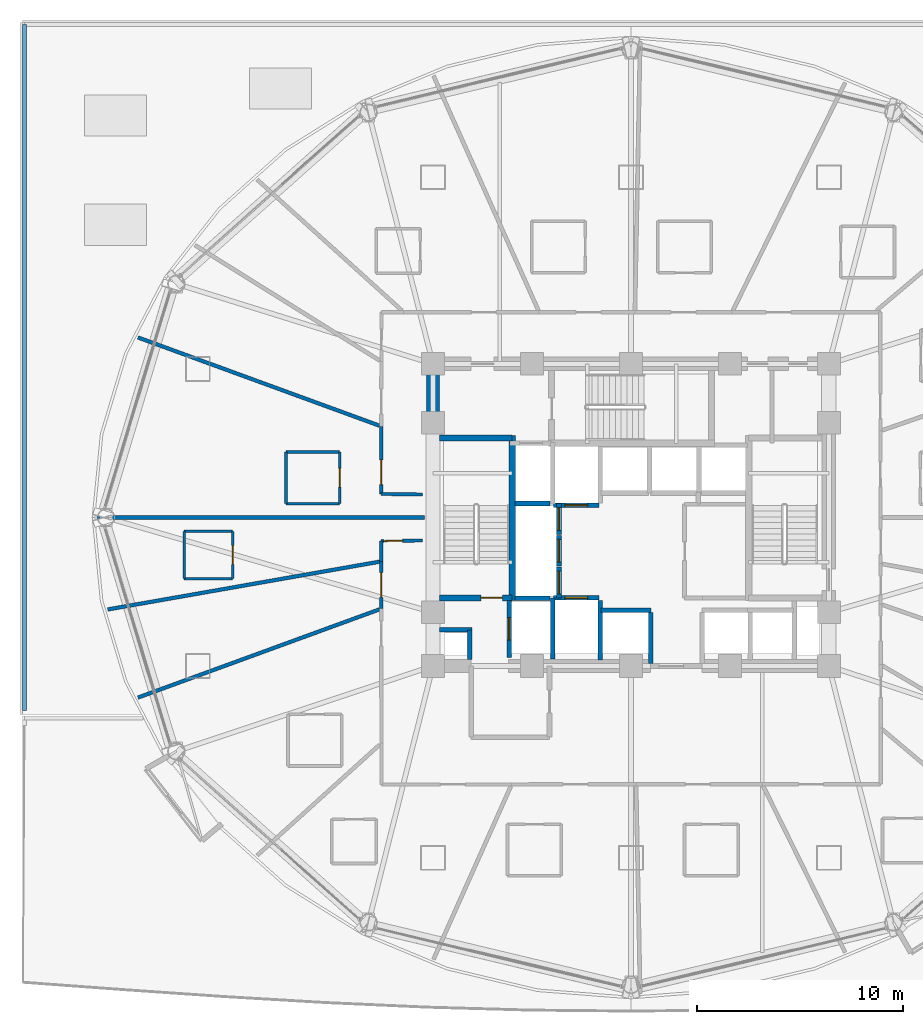
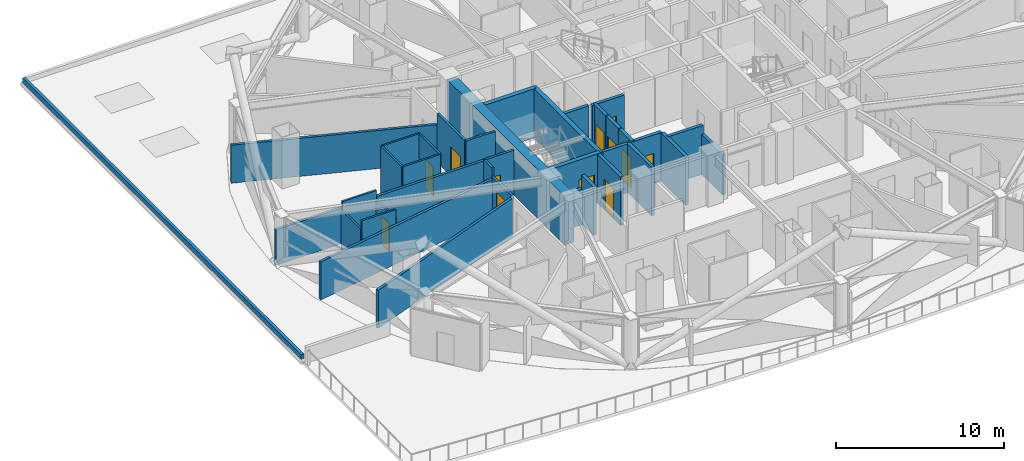
# One storey, part 20 of 27: 36 walls, 12 doors, 12 openings.
"""IFC4 building model written with IfcOpenShell, lengths in metres."""

import ifcopenshell
import ifcopenshell.guid

model = None  # the IFC model being written
_history = None  # IfcOwnerHistory: only IFC2X3 demands one
_inside = {}  # id of a spatial element -> (the spatial element, [elements in it])
_under = {}  # id of a project, library or spatial element -> (it, [spatial elements below it])
_declared = {}  # id of a project -> (the project, [libraries it declares])
_typed = {}  # id of a type object -> (the type object, [elements of that type])
_made_of = {}  # id of a material, layer set ... -> (it, [elements and type objects made of it])


def new_model(schema):
    """Start an empty IFC model of exactly this schema.

    Asked for "IFC4X3", IfcOpenShell would pick the latest addendum, in which some entities
    have other attributes; the version numbers below select the first issue.
    IFC2X3 requires an IfcOwnerHistory on every rooted entity: one is made here for all.
    """
    global model, _history
    if schema == "IFC4X3":
        model = ifcopenshell.file(schema_version=(4, 3, 0, 0))
    else:
        model = ifcopenshell.file(schema=schema)
    _inside.clear()
    _under.clear()
    _declared.clear()
    _typed.clear()
    _made_of.clear()
    _history = None
    if model.schema == "IFC2X3":
        org = make("IfcOrganization", Name="unknown")
        user = make(
            "IfcPersonAndOrganization",
            ThePerson=make("IfcPerson", FamilyName="unknown"),
            TheOrganization=org,
        )
        app = make(
            "IfcApplication",
            ApplicationDeveloper=org,
            Version="unknown",
            ApplicationFullName="unknown",
            ApplicationIdentifier="unknown",
        )
        _history = make(
            "IfcOwnerHistory",
            OwningUser=user,
            OwningApplication=app,
            ChangeAction="ADDED",
            CreationDate=0,
        )
    return model


def make(cls, **values):
    """One entity of the class cls with the attributes given. An attribute that is None is left unset."""
    return model.create_entity(
        cls, **{name: value for name, value in values.items() if value is not None}
    )


def rooted(cls, **values):
    """An entity with a GlobalId (a new one), such as an element, a storey or a relation."""
    return make(cls, GlobalId=ifcopenshell.guid.new(), OwnerHistory=_history, **values)


def si_unit(unit_type, name, prefix=None):
    """IfcSIUnit, for example si_unit("LENGTHUNIT", "METRE", prefix="MILLI")."""
    return make("IfcSIUnit", UnitType=unit_type, Prefix=prefix, Name=name)


def assignment(units):
    """IfcUnitAssignment: the units of a project."""
    return None if units is None else make("IfcUnitAssignment", Units=units)


def point(xyz):
    """IfcCartesianPoint."""
    return None if xyz is None else make("IfcCartesianPoint", Coordinates=xyz)


def direction(xyz):
    """IfcDirection."""
    return None if xyz is None else make("IfcDirection", DirectionRatios=xyz)


def frame(location, z_axis=None, x_axis=None):
    """IfcAxis2Placement3D, a coordinate frame: its origin and axes. An axis left out is left unset."""
    return make(
        "IfcAxis2Placement3D",
        Location=point(location),
        Axis=direction(z_axis),
        RefDirection=direction(x_axis),
    )


def frame_2d(location, x_axis=None):
    """IfcAxis2Placement2D, a coordinate frame in the plane: its origin and x axis."""
    return make(
        "IfcAxis2Placement2D", Location=point(location), RefDirection=direction(x_axis)
    )


def origin():
    """The frame at (0, 0, 0) with its axes left unset."""
    return frame((0.0, 0.0, 0.0))


def place(relative_to, where):
    """IfcLocalPlacement: puts the frame where relative to a parent placement (None: the world)."""
    return make(
        "IfcLocalPlacement", PlacementRelTo=relative_to, RelativePlacement=where
    )


def context(
    kind, dimensions, precision=None, world=None, true_north=None, identifier=None
):
    """IfcGeometricRepresentationContext, for example the 3D "Model" context."""
    return make(
        "IfcGeometricRepresentationContext",
        ContextIdentifier=identifier,
        ContextType=kind,
        CoordinateSpaceDimension=dimensions,
        Precision=precision,
        WorldCoordinateSystem=world,
        TrueNorth=true_north,
    )


def subcontext(parent, identifier, kind, view, scale=None):
    """IfcGeometricRepresentationSubContext, for example "Body" below "Model"."""
    return make(
        "IfcGeometricRepresentationSubContext",
        ContextIdentifier=identifier,
        ContextType=kind,
        ParentContext=parent,
        TargetScale=scale,
        TargetView=view,
    )


def project(units=None, contexts=None):
    """IfcProject with its units and contexts."""
    return rooted(
        "IfcProject",
        Name="project",
        RepresentationContexts=contexts,
        UnitsInContext=assignment(units),
    )


def spatial(cls, under=None, at=None, **own):
    """A site, building, storey or space (cls), placed at a placement, below another one or the project."""
    s = rooted(cls, ObjectPlacement=at, **own)
    if under is not None:
        _under.setdefault(under.id(), (under, []))[1].append(s)
    return s


def profile(cls, at=None, kind="AREA", **sizes):
    """A parametric profile (cls). Its sizes go by their IFC names, for example OverallWidth=200.0."""
    return make(cls, ProfileType=kind, Position=at, **sizes)


def rectangle(**sizes):
    """IfcRectangleProfileDef."""
    return profile("IfcRectangleProfileDef", **sizes)


def extrude(swept, where, along, depth):
    """IfcExtrudedAreaSolid: the profile swept, set in the frame where, extruded along a direction by depth."""
    return make(
        "IfcExtrudedAreaSolid",
        SweptArea=swept,
        Position=where,
        ExtrudedDirection=direction(along),
        Depth=depth,
    )


def shape(context_of_items, identifier, shape_type, items):
    """IfcShapeRepresentation: the items that make up one representation, for example the "Body"."""
    return make(
        "IfcShapeRepresentation",
        ContextOfItems=context_of_items,
        RepresentationIdentifier=identifier,
        RepresentationType=shape_type,
        Items=items,
    )


def material(Name=None, Category=None):
    """IfcMaterial."""
    return make("IfcMaterial", Name=Name, Category=Category)


def layer(
    of_material, thickness, ventilated=None, Name=None, Category=None, Priority=None
):
    """IfcMaterialLayer: one layer of a wall or slab, of a material (None: an air gap)."""
    return make(
        "IfcMaterialLayer",
        Material=of_material,
        LayerThickness=thickness,
        IsVentilated=ventilated,
        Name=Name,
        Category=Category,
        Priority=Priority,
    )


def layer_set(layers, Name=None):
    """IfcMaterialLayerSet."""
    return make("IfcMaterialLayerSet", MaterialLayers=layers, LayerSetName=Name)


def made_of(thing, what):
    """Note that an element or type object is made of a material, layer set ...; save() writes the relation."""
    if what is not None:
        _made_of.setdefault(what.id(), (what, []))[1].append(thing)
    return thing


def type_object(cls, material=None, **own):
    """A type object (cls), such as IfcWallType, which elements share."""
    return made_of(rooted(cls, **own), material)


def element(
    cls,
    number,
    at=None,
    inside=None,
    cuts=None,
    type_object=None,
    material=None,
    context=None,
    identifier="Body",
    shape_type=None,
    held_by="IfcProductDefinitionShape",
    body=None,
    shapes=None,
    **own,
):
    """One element of the class cls, such as IfcWall. Its Tag is "e" and its number.

    at: its placement. inside: the storey or other place that contains it. cuts: it is an
    opening in that element (IfcRelVoidsElement). A single representation is given by context,
    identifier, shape_type and body (its items); several are given by shapes. held_by: the class
    of the entity that holds the representations. save() writes the other relations.
    """
    e = rooted(cls, Tag="e%d" % number, ObjectPlacement=at, **own)
    if body is not None:
        shapes = [shape(context, identifier, shape_type, body)]
    if shapes is not None:
        e.Representation = make(held_by, Representations=shapes)
    if inside is not None:
        _inside.setdefault(inside.id(), (inside, []))[1].append(e)
    if cuts is not None:
        rooted(
            "IfcRelVoidsElement", RelatingBuildingElement=cuts, RelatedOpeningElement=e
        )
    if type_object is not None:
        _typed.setdefault(type_object.id(), (type_object, []))[1].append(e)
    return made_of(e, material)


def fill(opening, filler):
    """IfcRelFillsElement: the door or window that sits in an opening."""
    return rooted(
        "IfcRelFillsElement",
        RelatingOpeningElement=opening,
        RelatedBuildingElement=filler,
    )


def aggregate(whole, parts):
    """IfcRelAggregates: a whole, such as a stair, and the parts it consists of."""
    return rooted("IfcRelAggregates", RelatingObject=whole, RelatedObjects=parts)


def save(model, path):
    """Write the relations noted so far, then the file.

    IfcRelAggregates (storeys below a building ...), IfcRelContainedInSpatialStructure (elements
    in a storey), IfcRelDefinesByType, IfcRelAssociatesMaterial and IfcRelDeclares: one each for
    every whole, place, type object, material and project.
    """
    for whole, parts in _under.values():
        aggregate(whole, parts)
    for where, things in _inside.values():
        rooted(
            "IfcRelContainedInSpatialStructure",
            RelatedElements=things,
            RelatingStructure=where,
        )
    for kind, things in _typed.values():
        rooted("IfcRelDefinesByType", RelatedObjects=things, RelatingType=kind)
    for what, things in _made_of.values():
        rooted("IfcRelAssociatesMaterial", RelatedObjects=things, RelatingMaterial=what)
    for by, libraries in _declared.values():
        rooted("IfcRelDeclares", RelatingContext=by, RelatedDefinitions=libraries)
    model.write(path)


model = new_model("IFC4")

# Units and contexts
model_context = context("Model", 3, precision=1e-05, world=origin(), true_north=direction((0.0, 1.0)))
body_context = subcontext(model_context, "Body", "Model", "MODEL_VIEW")
ifc_project = project(units=[si_unit("LENGTHUNIT", "METRE"), si_unit("AREAUNIT", "SQUARE_METRE"), si_unit("VOLUMEUNIT", "CUBIC_METRE"), si_unit("PLANEANGLEUNIT", "RADIAN"), si_unit("MASSUNIT", "GRAM", prefix="KILO")], contexts=[model_context])

# Site, building, storey
site_placement = place(None, origin())
site = spatial("IfcSite", under=ifc_project, at=site_placement, CompositionType="ELEMENT")
building_placement = place(site_placement, origin())
building = spatial("IfcBuilding", under=site, at=building_placement, Name="Vantalir Tower", CompositionType="ELEMENT")
storey_placement = place(building_placement, frame((0.0, 0.0, 27.0)))
storey = spatial("IfcBuildingStorey", under=building, at=storey_placement, Name="L05", CompositionType="ELEMENT", Elevation=27.0)

# Walls
ifc_material_1 = material(Name="Moisture-resistant en-suite partition", Category="gypsum")
ifc_layer_1 = layer(ifc_material_1, 0.125)
ifc_layer_set_1 = layer_set([ifc_layer_1], Name="Moisture-resistant en-suite partition")
wall_type_1 = type_object("IfcWallType", Name="WL-BATH-125", PredefinedType="PARTITIONING", material=ifc_layer_set_1)
for number, where, z_axis, x_axis, name in (
    (1, (14.77490234375, 25.677978515625, 0.0), (0.0, 0.0, 1.0), (1.0, 0.0, 0.0), "L05 En-suite 09 South Wall"),
    (2, (14.77490234375, 28.177978515625, 0.0), (0.0, 0.0, 1.0), (1.0, 0.0, 0.0), "L05 En-suite 09 North Wall"),
):
    element("IfcWall", number, at=place(storey_placement, frame(where, z_axis=z_axis, x_axis=x_axis)), inside=storey, type_object=wall_type_1, Name=name, PredefinedType="PARTITIONING", context=body_context, shape_type="SweptSolid", body=[
        extrude(rectangle(XDim=2.60009765625, YDim=0.125, at=frame_2d((1.300048828125, 0.0))), origin(), (0.0, 0.0, 1.0), 3.550048828125),
    ])
wall_1_placement = place(storey_placement, frame((14.77490234375, 25.677978515625, 0.0), z_axis=(0.0, 0.0, 1.0), x_axis=(0.0, 1.0, 0.0)))
element("IfcWall", 3, at=wall_1_placement, inside=storey, type_object=wall_type_1, Name="L05 En-suite 09 West Wall", PredefinedType="PARTITIONING", context=body_context, shape_type="SweptSolid", body=[
    extrude(rectangle(XDim=2.5, YDim=0.125, at=frame_2d((1.25, 0.0))), origin(), (0.0, 0.0, 1.0), 3.550048828125),
])

# Wall, opening, door
wall_2_placement = place(storey_placement, frame((17.375, 25.677978515625, 0.0), z_axis=(0.0, 0.0, 1.0), x_axis=(0.0, 1.0, 0.0)))
wall_2 = element("IfcWall", 4, at=wall_2_placement, inside=storey, type_object=wall_type_1, Name="L05 En-suite 09 East Wall", PredefinedType="PARTITIONING", context=body_context, shape_type="SweptSolid", body=[
    extrude(rectangle(XDim=2.5, YDim=0.125, at=frame_2d((1.25, 0.0))), origin(), (0.0, 0.0, 1.0), 3.550048828125),
])
opening_1_placement = place(wall_2_placement, frame((0.800048828125, 0.0, 0.0)))
opening_1 = element("IfcOpeningElement", 5, at=opening_1_placement, cuts=wall_2, Name="Opening D-WC", PredefinedType="OPENING", context=body_context, shape_type="SweptSolid", body=[
    extrude(rectangle(XDim=0.89990234375, YDim=2.10009765625, at=frame_2d((0.449951171875, 1.050048828125))), frame((0.0, 0.072509765625, 0.0), z_axis=(0.0, -1.0, 0.0), x_axis=(1.0, 0.0, 0.0)), (0.0, 0.0, 1.0), 0.14501953125),
])
ifc_material_2 = material(Name="Moisture-resistant hardwood door", Category="wood")
door_type_1 = type_object("IfcDoorType", Name="DR-ENSUITE-900", OperationType="NOTDEFINED", PredefinedType="DOOR", material=ifc_material_2)
door_1_placement = place(opening_1_placement, origin())
door_1 = element("IfcDoor", 6, at=door_1_placement, inside=storey, type_object=door_type_1, Name="L05 En-suite 09 Door", OperationType="SINGLE_SWING_LEFT", OverallHeight=2.10009765625, OverallWidth=0.89990234375, PredefinedType="DOOR", context=body_context, shape_type="SweptSolid", body=[
    extrude(rectangle(XDim=0.89990234375, YDim=2.10009765625, at=frame_2d((0.449951171875, 1.050048828125))), frame((0.0, 0.02490234375, 0.0), z_axis=(0.0, -1.0, 0.0), x_axis=(1.0, 0.0, 0.0)), (0.0, 0.0, 1.0), 0.050048828125),
])
fill(opening_1, door_1)

# Walls
for number, where, z_axis, x_axis, name in (
    (7, (9.83203125, 22.033935546875, 0.0), (0.0, 0.0, 1.0), (1.0, 0.0, 0.0), "L05 En-suite 10 South Wall"),
    (8, (9.83203125, 24.333984375, 0.0), (0.0, 0.0, 1.0), (1.0, 0.0, 0.0), "L05 En-suite 10 North Wall"),
):
    element("IfcWall", number, at=place(storey_placement, frame(where, z_axis=z_axis, x_axis=x_axis)), inside=storey, type_object=wall_type_1, Name=name, PredefinedType="PARTITIONING", context=body_context, shape_type="SweptSolid", body=[
        extrude(rectangle(XDim=2.349853515625, YDim=0.125, at=frame_2d((1.1748046875, 0.0))), origin(), (0.0, 0.0, 1.0), 3.550048828125),
    ])
wall_3_placement = place(storey_placement, frame((9.83203125, 22.033935546875, 0.0), z_axis=(0.0, 0.0, 1.0), x_axis=(0.0, 1.0, 0.0)))
element("IfcWall", 9, at=wall_3_placement, inside=storey, type_object=wall_type_1, Name="L05 En-suite 10 West Wall", PredefinedType="PARTITIONING", context=body_context, shape_type="SweptSolid", body=[
    extrude(rectangle(XDim=2.300048828125, YDim=0.125, at=frame_2d((1.14990234375, 0.0))), origin(), (0.0, 0.0, 1.0), 2.928955078125),
])

# Wall, opening, door
wall_4_placement = place(storey_placement, frame((12.181884765625, 22.033935546875, 0.0), z_axis=(0.0, 0.0, 1.0), x_axis=(0.0, 1.0, 0.0)))
wall_4 = element("IfcWall", 10, at=wall_4_placement, inside=storey, type_object=wall_type_1, Name="L05 En-suite 10 East Wall", PredefinedType="PARTITIONING", context=body_context, shape_type="SweptSolid", body=[
    extrude(rectangle(XDim=2.300048828125, YDim=0.125, at=frame_2d((1.14990234375, 0.0))), origin(), (0.0, 0.0, 1.0), 2.928955078125),
])
opening_2_placement = place(wall_4_placement, frame((0.699951171875, 0.0, 0.0)))
opening_2 = element("IfcOpeningElement", 11, at=opening_2_placement, cuts=wall_4, Name="Opening D-WC", PredefinedType="OPENING", context=body_context, shape_type="SweptSolid", body=[
    extrude(rectangle(XDim=0.89990234375, YDim=2.10009765625, at=frame_2d((0.449951171875, 1.050048828125))), frame((0.0, 0.072509765625, 0.0), z_axis=(0.0, -1.0, 0.0), x_axis=(1.0, 0.0, 0.0)), (0.0, 0.0, 1.0), 0.14501953125),
])
door_2_placement = place(opening_2_placement, origin())
door_2 = element("IfcDoor", 12, at=door_2_placement, inside=storey, type_object=door_type_1, Name="L05 En-suite 10 Door", OperationType="SINGLE_SWING_RIGHT", OverallHeight=2.10009765625, OverallWidth=0.89990234375, PredefinedType="DOOR", context=body_context, shape_type="SweptSolid", body=[
    extrude(rectangle(XDim=0.89990234375, YDim=2.10009765625, at=frame_2d((0.449951171875, 1.050048828125))), frame((0.0, 0.02490234375, 0.0), z_axis=(0.0, -1.0, 0.0), x_axis=(1.0, 0.0, 0.0)), (0.0, 0.0, 1.0), 0.050048828125),
])
fill(opening_2, door_2)

# Walls
ifc_material_3 = material(Name="Concrete C60/75", Category="concrete")
ifc_layer_2 = layer(ifc_material_3, 0.64990234375)
ifc_layer_set_2 = layer_set([ifc_layer_2], Name="Concrete C60/75")
wall_type_2 = type_object("IfcWallType", Name="WL-CORE-650", PredefinedType="SHEAR", material=ifc_layer_set_2)
wall_5_placement = place(storey_placement, frame((21.89990234375, 18.125, 0.0), z_axis=(0.0, 0.0, 1.0), x_axis=(0.0, 1.0, 0.0)))
element("IfcWall", 13, at=wall_5_placement, inside=storey, type_object=wall_type_2, Name="L05 Core Shear Wall West", PredefinedType="SHEAR", context=body_context, shape_type="SweptSolid", body=[
    extrude(rectangle(XDim=14.0, YDim=0.64990234375, at=frame_2d((7.0, 0.0))), origin(), (0.0, 0.0, 1.0), 3.570068359375),
])
ifc_material_4 = material(Name="Fire-rated hotel corridor acoustic partition", Category="gypsum")
ifc_layer_3 = layer(ifc_material_4, 0.159912109375)
ifc_layer_set_3 = layer_set([ifc_layer_3], Name="Fire-rated hotel corridor acoustic partition")
wall_type_3 = type_object("IfcWallType", Name="WL-CORR-160", PredefinedType="PARTITIONING", material=ifc_layer_set_3)
wall_6_placement = place(storey_placement, frame((21.39501953125, 26.117919921875, 0.0), z_axis=(0.0, 0.0, 1.0), x_axis=(-0.999927639905, 0.012029752868, 0.0)))
element("IfcWall", 14, at=wall_6_placement, inside=storey, type_object=wall_type_3, Name="L05 Corridor Partition 01", PredefinedType="PARTITIONING", context=body_context, shape_type="SweptSolid", body=[
    extrude(rectangle(XDim=2.00927734375, YDim=0.159912109375, at=frame_2d((1.004638671875, 0.0))), origin(), (0.0, 0.0, 1.0), 3.550048828125),
])

# Wall, opening, door
wall_7_placement = place(storey_placement, frame((19.385986328125, 26.14208984375, 0.0), z_axis=(0.0, 0.0, 1.0), x_axis=(0.002158536095, 0.999997670358, 0.0)))
wall_7 = element("IfcWall", 15, at=wall_7_placement, inside=storey, type_object=wall_type_3, Name="L05 Corridor Partition 02", PredefinedType="PARTITIONING", context=body_context, shape_type="SweptSolid", body=[
    extrude(rectangle(XDim=3.280029296875, YDim=0.159912109375, at=frame_2d((1.64013671875, 0.0))), origin(), (0.0, 0.0, 1.0), 3.550048828125),
])
opening_3_placement = place(wall_7_placement, frame((0.452880859375, 0.0, 0.0)))
opening_3 = element("IfcOpeningElement", 16, at=opening_3_placement, cuts=wall_7, Name="Opening D-STE", PredefinedType="OPENING", context=body_context, shape_type="SweptSolid", body=[
    extrude(rectangle(XDim=1.199951171875, YDim=2.10009765625, at=frame_2d((0.60009765625, 1.050048828125))), frame((0.0, 0.08984375, 0.0), z_axis=(0.0, -1.0, 0.0), x_axis=(1.0, 0.0, 0.0)), (0.0, 0.0, 1.0), 0.179931640625),
])
ifc_material_5 = material(Name="Solid-core teak veneer suite entrance door", Category="wood")
door_type_2 = type_object("IfcDoorType", Name="DR-SUITE-ENTRY-1200", OperationType="NOTDEFINED", PredefinedType="DOOR", material=ifc_material_5)
door_3_placement = place(opening_3_placement, origin())
door_3 = element("IfcDoor", 17, at=door_3_placement, inside=storey, type_object=door_type_2, Name="L05 Executive Club Hotel Suite 09 Door", OperationType="SINGLE_SWING_LEFT", OverallHeight=2.10009765625, OverallWidth=1.199951171875, PredefinedType="DOOR", context=body_context, shape_type="SweptSolid", body=[
    extrude(rectangle(XDim=1.199951171875, YDim=2.10009765625, at=frame_2d((0.60009765625, 1.050048828125))), frame((0.0, 0.02490234375, 0.0), z_axis=(0.0, -1.0, 0.0), x_axis=(1.0, 0.0, 0.0)), (0.0, 0.0, 1.0), 0.050048828125),
])
fill(opening_3, door_3)

wall_8_placement = place(storey_placement, frame((19.39111328125, 20.577880859375, 0.0), z_axis=(0.0, 0.0, 1.0), x_axis=(-0.001809085046, 0.999998363604, 0.0)))
wall_8 = element("IfcWall", 18, at=wall_8_placement, inside=storey, type_object=wall_type_3, Name="L05 Corridor Partition 23", PredefinedType="PARTITIONING", context=body_context, shape_type="SweptSolid", body=[
    extrude(rectangle(XDim=2.294189453125, YDim=0.159912109375, at=frame_2d((1.14697265625, 0.0))), origin(), (0.0, 0.0, 1.0), 2.928955078125),
])
opening_4_placement = place(wall_8_placement, frame((0.547119140625, 0.0, 0.0)))
opening_4 = element("IfcOpeningElement", 19, at=opening_4_placement, cuts=wall_8, Name="Opening D-STE", PredefinedType="OPENING", context=body_context, shape_type="SweptSolid", body=[
    extrude(rectangle(XDim=1.199951171875, YDim=2.10009765625, at=frame_2d((0.60009765625, 1.050048828125))), frame((0.0, 0.08984375, 0.0), z_axis=(0.0, -1.0, 0.0), x_axis=(1.0, 0.0, 0.0)), (0.0, 0.0, 1.0), 0.179931640625),
])
door_4_placement = place(opening_4_placement, origin())
door_4 = element("IfcDoor", 20, at=door_4_placement, inside=storey, type_object=door_type_2, Name="L05 Club Reading Lounge 11 Door", OperationType="SINGLE_SWING_LEFT", OverallHeight=2.10009765625, OverallWidth=1.199951171875, PredefinedType="DOOR", context=body_context, shape_type="SweptSolid", body=[
    extrude(rectangle(XDim=1.199951171875, YDim=2.10009765625, at=frame_2d((0.60009765625, 1.050048828125))), frame((0.0, 0.02490234375, 0.0), z_axis=(0.0, -1.0, 0.0), x_axis=(1.0, 0.0, 0.0)), (0.0, 0.0, 1.0), 0.050048828125),
])
fill(opening_4, door_4)

# Wall
wall_9_placement = place(storey_placement, frame((19.386962890625, 22.8720703125, 0.0), z_axis=(0.0, 0.0, 1.0), x_axis=(-0.000990588915, 0.999999509367, 0.0)))
element("IfcWall", 21, at=wall_9_placement, inside=storey, type_object=wall_type_3, Name="L05 Corridor Partition 24", PredefinedType="PARTITIONING", context=body_context, shape_type="SweptSolid", body=[
    extrude(rectangle(XDim=0.98583984375, YDim=0.159912109375, at=frame_2d((0.492919921875, 0.0))), origin(), (0.0, 0.0, 1.0), 3.550048828125),
])

# Wall, opening, door
wall_10_placement = place(storey_placement, frame((19.385986328125, 23.85791015625, 0.0), z_axis=(0.0, 0.0, 1.0), x_axis=(0.999895455379, 0.014459540551, 0.0)))
wall_10 = element("IfcWall", 22, at=wall_10_placement, inside=storey, type_object=wall_type_3, Name="L05 Corridor Partition 25", PredefinedType="PARTITIONING", context=body_context, shape_type="SweptSolid", body=[
    extrude(rectangle(XDim=2.00927734375, YDim=0.159912109375, at=frame_2d((1.004638671875, 0.0))), origin(), (0.0, 0.0, 1.0), 3.550048828125),
])
opening_5_placement = place(wall_10_placement, frame((0.139892578125, 0.0, 0.0)))
opening_5 = element("IfcOpeningElement", 23, at=opening_5_placement, cuts=wall_10, Name="Opening D-WC", PredefinedType="OPENING", context=body_context, shape_type="SweptSolid", body=[
    extrude(rectangle(XDim=0.89990234375, YDim=2.10009765625, at=frame_2d((0.449951171875, 1.050048828125))), frame((0.0, 0.08984375, 0.0), z_axis=(0.0, -1.0, 0.0), x_axis=(1.0, 0.0, 0.0)), (0.0, 0.0, 1.0), 0.179931640625),
])
door_5_placement = place(opening_5_placement, frame((0.89990234375, 0.0, 0.0), z_axis=(0.0, 0.0, 1.0), x_axis=(-1.0, 0.0, 0.0)))
door_5 = element("IfcDoor", 24, at=door_5_placement, inside=storey, type_object=door_type_1, Name="L05 Twin Queen Hotel Room 10 Door", OperationType="SINGLE_SWING_RIGHT", OverallHeight=2.10009765625, OverallWidth=0.89990234375, PredefinedType="DOOR", context=body_context, shape_type="SweptSolid", body=[
    extrude(rectangle(XDim=0.89990234375, YDim=2.10009765625, at=frame_2d((0.449951171875, 1.050048828125))), frame((0.0, 0.02490234375, 0.0), z_axis=(0.0, -1.0, 0.0), x_axis=(1.0, 0.0, 0.0)), (0.0, 0.0, 1.0), 0.050048828125),
])
fill(opening_5, door_5)

# Walls
ifc_material_6 = material(Name="Concrete blockwork with fireboard lining", Category="masonry")
ifc_layer_4 = layer(ifc_material_6, 0.219970703125)
ifc_layer_set_4 = layer_set([ifc_layer_4], Name="Concrete blockwork with fireboard lining")
wall_type_4 = type_object("IfcWallType", Name="WL-FFL-220", PredefinedType="PARTITIONING", material=ifc_layer_set_4)
wall_11_placement = place(storey_placement, frame((30.0, 18.080078125, 0.0), z_axis=(0.0, 0.0, 1.0), x_axis=(0.0, 1.0, 0.0)))
element("IfcWall", 25, at=wall_11_placement, inside=storey, type_object=wall_type_4, Name="L05 Service Lift SV1 East Shaft Wall", PredefinedType="PARTITIONING", context=body_context, shape_type="SweptSolid", body=[
    extrude(rectangle(XDim=2.89990234375, YDim=0.219970703125, at=frame_2d((1.449951171875, 0.0))), origin(), (0.0, 0.0, 1.0), 3.544921875),
])
wall_12_placement = place(storey_placement, frame((32.449951171875, 17.919921875, 0.0), z_axis=(0.0, 0.0, 1.0), x_axis=(0.0, 1.0, 0.0)))
element("IfcWall", 26, at=wall_12_placement, inside=storey, type_object=wall_type_4, Name="L05 Shuttle Lift PL-X1 East Shaft Cheek", PredefinedType="PARTITIONING", context=body_context, shape_type="SweptSolid", body=[
    extrude(rectangle(XDim=2.469970703125, YDim=0.219970703125, at=frame_2d((1.23486328125, 0.0))), origin(), (0.0, 0.0, 1.0), 2.928955078125),
])
wall_13_placement = place(storey_placement, frame((23.679931640625, 18.125, 0.0), z_axis=(0.0, 0.0, 1.0), x_axis=(0.0, 1.0, 0.0)))
element("IfcWall", 27, at=wall_13_placement, inside=storey, type_object=wall_type_4, Name="L05 West MEP Riser Wall E", PredefinedType="PARTITIONING", context=body_context, shape_type="SweptSolid", body=[
    extrude(rectangle(XDim=1.425048828125, YDim=0.219970703125, at=frame_2d((0.71240234375, 0.0))), origin(), (0.0, 0.0, 1.0), 3.550048828125),
])
wall_14_placement = place(storey_placement, frame((22.22509765625, 19.550048828125, 0.0), z_axis=(0.0, 0.0, 1.0), x_axis=(1.0, 0.0, 0.0)))
element("IfcWall", 28, at=wall_14_placement, inside=storey, type_object=wall_type_4, Name="L05 West MEP Riser Wall N", PredefinedType="PARTITIONING", context=body_context, shape_type="SweptSolid", body=[
    extrude(rectangle(XDim=1.56494140625, YDim=0.219970703125, at=frame_2d((0.782470703125, 0.0))), origin(), (0.0, 0.0, 1.0), 2.594970703125),
])

# Wall, opening, door
wall_15_placement = place(storey_placement, frame((25.590087890625, 18.219970703125, 0.0), z_axis=(0.0, 0.0, 1.0), x_axis=(0.0, 1.0, 0.0)))
wall_15 = element("IfcWall", 29, at=wall_15_placement, inside=storey, type_object=wall_type_4, Name="L05 Lift FL1 Shaft Front Wall", PredefinedType="PARTITIONING", context=body_context, shape_type="SweptSolid", body=[
    extrude(rectangle(XDim=2.760009765625, YDim=0.219970703125, at=frame_2d((1.3798828125, 0.0))), origin(), (0.0, 0.0, 1.0), 3.550048828125),
])
opening_6_placement = place(wall_15_placement, frame((0.830078125, 0.0, 0.0)))
opening_6 = element("IfcOpeningElement", 30, at=opening_6_placement, cuts=wall_15, Name="Opening LD-FL1", PredefinedType="OPENING", context=body_context, shape_type="SweptSolid", body=[
    extrude(rectangle(XDim=1.10009765625, YDim=2.199951171875, at=frame_2d((0.550048828125, 1.10009765625))), frame((0.0, 0.119873046875, 0.0), z_axis=(0.0, -1.0, 0.0), x_axis=(1.0, 0.0, 0.0)), (0.0, 0.0, 1.0), 0.239990234375),
])
ifc_material_7 = material(Name="Brushed stainless-steel sliding lift landing door", Category="steel")
door_type_3 = type_object("IfcDoorType", Name="DR-LIFT-LANDING-1100", OperationType="DOUBLE_DOOR_SLIDING", PredefinedType="DOOR", material=ifc_material_7)
door_6_placement = place(opening_6_placement, origin())
door_6 = element("IfcDoor", 31, at=door_6_placement, inside=storey, type_object=door_type_3, Name="L05 Lift Landing Door FL1", OperationType="DOUBLE_DOOR_SLIDING", OverallHeight=2.199951171875, OverallWidth=1.10009765625, PredefinedType="DOOR", context=body_context, shape_type="SweptSolid", body=[
    extrude(rectangle(XDim=1.10009765625, YDim=2.199951171875, at=frame_2d((0.550048828125, 1.10009765625))), frame((0.0, 0.02490234375, 0.0), z_axis=(0.0, -1.0, 0.0), x_axis=(1.0, 0.0, 0.0)), (0.0, 0.0, 1.0), 0.050048828125),
])
fill(opening_6, door_6)

wall_16_placement = place(storey_placement, frame((27.739990234375, 21.110107421875, 0.0), z_axis=(0.0, 0.0, 1.0), x_axis=(1.0, 0.0, 0.0)))
wall_16 = element("IfcWall", 32, at=wall_16_placement, inside=storey, type_object=wall_type_4, Name="L05 Lift SV1 Shaft Front Wall", PredefinedType="PARTITIONING", context=body_context, shape_type="SweptSolid", body=[
    extrude(rectangle(XDim=2.219970703125, YDim=0.219970703125, at=frame_2d((1.10986328125, 0.0))), origin(), (0.0, 0.0, 1.0), 3.550048828125),
])
opening_7_placement = place(wall_16_placement, frame((0.56005859375, 0.0, 0.0)))
opening_7 = element("IfcOpeningElement", 33, at=opening_7_placement, cuts=wall_16, Name="Opening LD-SV1", PredefinedType="OPENING", context=body_context, shape_type="SweptSolid", body=[
    extrude(rectangle(XDim=1.10009765625, YDim=2.199951171875, at=frame_2d((0.550048828125, 1.10009765625))), frame((0.0, 0.119873046875, 0.0), z_axis=(0.0, -1.0, 0.0), x_axis=(1.0, 0.0, 0.0)), (0.0, 0.0, 1.0), 0.239990234375),
])
door_7_placement = place(opening_7_placement, origin())
door_7 = element("IfcDoor", 34, at=door_7_placement, inside=storey, type_object=door_type_3, Name="L05 Lift Landing Door SV1", OperationType="DOUBLE_DOOR_SLIDING", OverallHeight=2.199951171875, OverallWidth=1.10009765625, PredefinedType="DOOR", context=body_context, shape_type="SweptSolid", body=[
    extrude(rectangle(XDim=1.10009765625, YDim=2.199951171875, at=frame_2d((0.550048828125, 1.10009765625))), frame((0.0, 0.02490234375, 0.0), z_axis=(0.0, -1.0, 0.0), x_axis=(1.0, 0.0, 0.0)), (0.0, 0.0, 1.0), 0.050048828125),
])
fill(opening_7, door_7)

wall_17_placement = place(storey_placement, frame((27.739990234375, 25.590087890625, 0.0), z_axis=(0.0, 0.0, 1.0), x_axis=(1.0, 0.0, 0.0)))
wall_17 = element("IfcWall", 35, at=wall_17_placement, inside=storey, type_object=wall_type_4, Name="L05 Lift SV2 Shaft Front Wall", PredefinedType="PARTITIONING", context=body_context, shape_type="SweptSolid", body=[
    extrude(rectangle(XDim=2.219970703125, YDim=0.219970703125, at=frame_2d((1.10986328125, 0.0))), origin(), (0.0, 0.0, 1.0), 3.550048828125),
])
opening_8_placement = place(wall_17_placement, frame((0.56005859375, 0.0, 0.0)))
opening_8 = element("IfcOpeningElement", 36, at=opening_8_placement, cuts=wall_17, Name="Opening LD-SV2", PredefinedType="OPENING", context=body_context, shape_type="SweptSolid", body=[
    extrude(rectangle(XDim=1.10009765625, YDim=2.199951171875, at=frame_2d((0.550048828125, 1.10009765625))), frame((0.0, 0.119873046875, 0.0), z_axis=(0.0, -1.0, 0.0), x_axis=(1.0, 0.0, 0.0)), (0.0, 0.0, 1.0), 0.239990234375),
])
door_8_placement = place(opening_8_placement, frame((1.10009765625, 0.0, 0.0), z_axis=(0.0, 0.0, 1.0), x_axis=(-1.0, 0.0, 0.0)))
door_8 = element("IfcDoor", 37, at=door_8_placement, inside=storey, type_object=door_type_3, Name="L05 Lift Landing Door SV2", OperationType="DOUBLE_DOOR_SLIDING", OverallHeight=2.199951171875, OverallWidth=1.10009765625, PredefinedType="DOOR", context=body_context, shape_type="SweptSolid", body=[
    extrude(rectangle(XDim=1.10009765625, YDim=2.199951171875, at=frame_2d((0.550048828125, 1.10009765625))), frame((0.0, 0.02490234375, 0.0), z_axis=(0.0, -1.0, 0.0), x_axis=(1.0, 0.0, 0.0)), (0.0, 0.0, 1.0), 0.050048828125),
])
fill(opening_8, door_8)

# Wall
wall_18_placement = place(storey_placement, frame((30.0400390625, 20.510009765625, 0.0), z_axis=(0.0, 0.0, 1.0), x_axis=(1.0, 0.0, 0.0)))
element("IfcWall", 38, at=wall_18_placement, inside=storey, type_object=wall_type_4, Name="L05 Lift PL-X1 Shaft Front Wall", PredefinedType="PARTITIONING", context=body_context, shape_type="SweptSolid", body=[
    extrude(rectangle(XDim=2.419921875, YDim=0.219970703125, at=frame_2d((1.2099609375, 0.0))), origin(), (0.0, 0.0, 1.0), 3.550048828125),
])

# Wall, opening, door
wall_19_placement = place(storey_placement, frame((28.010009765625, 21.10009765625, 0.0), z_axis=(0.0, 0.0, 1.0), x_axis=(0.0, 1.0, 0.0)))
wall_19 = element("IfcWall", 39, at=wall_19_placement, inside=storey, type_object=wall_type_4, Name="L05 Lift PL-L1 Shaft Front Wall", PredefinedType="PARTITIONING", context=body_context, shape_type="SweptSolid", body=[
    extrude(rectangle(XDim=1.5, YDim=0.219970703125, at=frame_2d((0.75, 0.0))), origin(), (0.0, 0.0, 1.0), 3.550048828125),
])
opening_9_placement = place(wall_19_placement, frame((0.199951171875, 0.0, 0.0)))
opening_9 = element("IfcOpeningElement", 40, at=opening_9_placement, cuts=wall_19, Name="Opening LD-PL-L1", PredefinedType="OPENING", context=body_context, shape_type="SweptSolid", body=[
    extrude(rectangle(XDim=1.10009765625, YDim=2.199951171875, at=frame_2d((0.550048828125, 1.10009765625))), frame((0.0, 0.119873046875, 0.0), z_axis=(0.0, -1.0, 0.0), x_axis=(1.0, 0.0, 0.0)), (0.0, 0.0, 1.0), 0.239990234375),
])
door_9_placement = place(opening_9_placement, frame((1.10009765625, 0.0, 0.0), z_axis=(0.0, 0.0, 1.0), x_axis=(-1.0, 0.0, 0.0)))
door_9 = element("IfcDoor", 41, at=door_9_placement, inside=storey, type_object=door_type_3, Name="L05 Lift Landing Door PL-L1", OperationType="DOUBLE_DOOR_SLIDING", OverallHeight=2.199951171875, OverallWidth=1.10009765625, PredefinedType="DOOR", context=body_context, shape_type="SweptSolid", body=[
    extrude(rectangle(XDim=1.10009765625, YDim=2.199951171875, at=frame_2d((0.550048828125, 1.10009765625))), frame((0.0, 0.02490234375, 0.0), z_axis=(0.0, -1.0, 0.0), x_axis=(1.0, 0.0, 0.0)), (0.0, 0.0, 1.0), 0.050048828125),
])
fill(opening_9, door_9)

wall_20_placement = place(storey_placement, frame((28.010009765625, 22.639892578125, 0.0), z_axis=(0.0, 0.0, 1.0), x_axis=(0.0, 1.0, 0.0)))
wall_20 = element("IfcWall", 42, at=wall_20_placement, inside=storey, type_object=wall_type_4, Name="L05 Lift PL-L2 Shaft Front Wall", PredefinedType="PARTITIONING", context=body_context, shape_type="SweptSolid", body=[
    extrude(rectangle(XDim=1.5, YDim=0.219970703125, at=frame_2d((0.75, 0.0))), origin(), (0.0, 0.0, 1.0), 3.550048828125),
])
opening_10_placement = place(wall_20_placement, frame((0.199951171875, 0.0, 0.0)))
opening_10 = element("IfcOpeningElement", 43, at=opening_10_placement, cuts=wall_20, Name="Opening LD-PL-L2", PredefinedType="OPENING", context=body_context, shape_type="SweptSolid", body=[
    extrude(rectangle(XDim=1.10009765625, YDim=2.199951171875, at=frame_2d((0.550048828125, 1.10009765625))), frame((0.0, 0.119873046875, 0.0), z_axis=(0.0, -1.0, 0.0), x_axis=(1.0, 0.0, 0.0)), (0.0, 0.0, 1.0), 0.239990234375),
])
door_10_placement = place(opening_10_placement, frame((1.10009765625, 0.0, 0.0), z_axis=(0.0, 0.0, 1.0), x_axis=(-1.0, 0.0, 0.0)))
door_10 = element("IfcDoor", 44, at=door_10_placement, inside=storey, type_object=door_type_3, Name="L05 Lift Landing Door PL-L2", OperationType="DOUBLE_DOOR_SLIDING", OverallHeight=2.199951171875, OverallWidth=1.10009765625, PredefinedType="DOOR", context=body_context, shape_type="SweptSolid", body=[
    extrude(rectangle(XDim=1.10009765625, YDim=2.199951171875, at=frame_2d((0.550048828125, 1.10009765625))), frame((0.0, 0.02490234375, 0.0), z_axis=(0.0, -1.0, 0.0), x_axis=(1.0, 0.0, 0.0)), (0.0, 0.0, 1.0), 0.050048828125),
])
fill(opening_10, door_10)

wall_21_placement = place(storey_placement, frame((28.010009765625, 24.179931640625, 0.0), z_axis=(0.0, 0.0, 1.0), x_axis=(0.0, 1.0, 0.0)))
wall_21 = element("IfcWall", 45, at=wall_21_placement, inside=storey, type_object=wall_type_4, Name="L05 Lift PL-L3 Shaft Front Wall", PredefinedType="PARTITIONING", context=body_context, shape_type="SweptSolid", body=[
    extrude(rectangle(XDim=1.5, YDim=0.219970703125, at=frame_2d((0.75, 0.0))), origin(), (0.0, 0.0, 1.0), 3.550048828125),
])
opening_11_placement = place(wall_21_placement, frame((0.199951171875, 0.0, 0.0)))
opening_11 = element("IfcOpeningElement", 46, at=opening_11_placement, cuts=wall_21, Name="Opening LD-PL-L3", PredefinedType="OPENING", context=body_context, shape_type="SweptSolid", body=[
    extrude(rectangle(XDim=1.10009765625, YDim=2.199951171875, at=frame_2d((0.550048828125, 1.10009765625))), frame((0.0, 0.119873046875, 0.0), z_axis=(0.0, -1.0, 0.0), x_axis=(1.0, 0.0, 0.0)), (0.0, 0.0, 1.0), 0.239990234375),
])
door_11_placement = place(opening_11_placement, frame((1.10009765625, 0.0, 0.0), z_axis=(0.0, 0.0, 1.0), x_axis=(-1.0, 0.0, 0.0)))
door_11 = element("IfcDoor", 47, at=door_11_placement, inside=storey, type_object=door_type_3, Name="L05 Lift Landing Door PL-L3", OperationType="DOUBLE_DOOR_SLIDING", OverallHeight=2.199951171875, OverallWidth=1.10009765625, PredefinedType="DOOR", context=body_context, shape_type="SweptSolid", body=[
    extrude(rectangle(XDim=1.10009765625, YDim=2.199951171875, at=frame_2d((0.550048828125, 1.10009765625))), frame((0.0, 0.02490234375, 0.0), z_axis=(0.0, -1.0, 0.0), x_axis=(1.0, 0.0, 0.0)), (0.0, 0.0, 1.0), 0.050048828125),
])
fill(opening_11, door_11)

# Walls
wall_22_placement = place(storey_placement, frame((27.699951171875, 18.14990234375, 0.0), z_axis=(0.0, 0.0, 1.0), x_axis=(0.0, 1.0, 0.0)))
element("IfcWall", 48, at=wall_22_placement, inside=storey, type_object=wall_type_4, Name="L05 Fire Lift FL1 Dividing Wall", PredefinedType="PARTITIONING", context=body_context, shape_type="SweptSolid", body=[
    extrude(rectangle(XDim=2.9501953125, YDim=0.219970703125, at=frame_2d((1.47509765625, 0.0))), origin(), (0.0, 0.0, 1.0), 3.550048828125),
])
for number, where, z_axis, x_axis, name in (
    (49, (25.8798828125, 21.080078125, 0.0), (0.0, 0.0, 1.0), (1.0, 0.0, 0.0), "L05 Low-Rise Bank South Wall"),
    (50, (25.8798828125, 25.679931640625, 0.0), (0.0, 0.0, 1.0), (1.0, 0.0, 0.0), "L05 Low-Rise Bank North Wall"),
):
    element("IfcWall", number, at=place(storey_placement, frame(where, z_axis=z_axis, x_axis=x_axis)), inside=storey, type_object=wall_type_4, Name=name, PredefinedType="PARTITIONING", context=body_context, shape_type="SweptSolid", body=[
        extrude(rectangle(XDim=1.7001953125, YDim=0.219970703125, at=frame_2d((0.85009765625, 0.0))), origin(), (0.0, 0.0, 1.0), 3.550048828125),
    ])
ifc_material_8 = material(Name="Twin-stud acoustic fire-rated gypsum partition", Category="gypsum")
ifc_layer_5 = layer(ifc_material_8, 0.179931640625)
ifc_layer_set_5 = layer_set([ifc_layer_5], Name="Twin-stud acoustic fire-rated gypsum partition")
wall_type_5 = type_object("IfcWallType", Name="WL-GUEST-180", PredefinedType="PARTITIONING", material=ifc_layer_set_5)
wall_23_placement = place(storey_placement, frame((19.31005859375, 29.451904296875, 0.0), z_axis=(0.0, 0.0, 1.0), x_axis=(-0.939311872199, 0.343064435267, 0.0)))
element("IfcWall", 51, at=wall_23_placement, inside=storey, type_object=wall_type_5, Name="L05 Radial Suite Partition 09", PredefinedType="PARTITIONING", context=body_context, shape_type="SweptSolid", body=[
    extrude(rectangle(XDim=12.47314453125, YDim=0.179931640625, at=frame_2d((6.236572265625, 0.0))), origin(), (0.0, 0.0, 1.0), 2.77490234375),
])
wall_24_placement = place(storey_placement, frame((21.5, 25.0, 0.0), z_axis=(0.0, 0.0, 1.0), x_axis=(-1.0, 0.0, 0.0)))
element("IfcWall", 52, at=wall_24_placement, inside=storey, type_object=wall_type_5, Name="L05 Radial Suite Partition 10", PredefinedType="PARTITIONING", context=body_context, shape_type="SweptSolid", body=[
    extrude(rectangle(XDim=15.89892578125, YDim=0.179931640625, at=frame_2d((7.949462890625, 0.0))), origin(), (0.0, 0.0, 1.0), 2.594970703125),
])
wall_25_placement = place(storey_placement, frame((19.31005859375, 22.85791015625, 0.0), z_axis=(0.0, 0.0, 1.0), x_axis=(-0.984915491916, -0.173036047641, 0.0)))
element("IfcWall", 53, at=wall_25_placement, inside=storey, type_object=wall_type_5, Name="L05 Radial Suite Partition 11", PredefinedType="PARTITIONING", context=body_context, shape_type="SweptSolid", body=[
    extrude(rectangle(XDim=13.384033203125, YDim=0.179931640625, at=frame_2d((6.69189453125, 0.0))), origin(), (0.0, 0.0, 1.0), 2.77490234375),
])
wall_26_placement = place(storey_placement, frame((19.31005859375, 20.548095703125, 0.0), z_axis=(0.0, 0.0, 1.0), x_axis=(-0.939311872199, -0.343064435267, 0.0)))
element("IfcWall", 54, at=wall_26_placement, inside=storey, type_object=wall_type_5, Name="L05 Radial Suite Partition 12", PredefinedType="PARTITIONING", context=body_context, shape_type="SweptSolid", body=[
    extrude(rectangle(XDim=12.47314453125, YDim=0.179931640625, at=frame_2d((6.236572265625, 0.0))), origin(), (0.0, 0.0, 1.0), 2.77490234375),
])
ifc_material_9 = material(Name="Concrete C40/50 parapet upstand", Category="concrete")
ifc_layer_6 = layer(ifc_material_9, 0.199951171875)
ifc_layer_set_6 = layer_set([ifc_layer_6], Name="Concrete C40/50 parapet upstand")
wall_type_6 = type_object("IfcWallType", Name="WL-PARA-200", PredefinedType="PARAPET", material=ifc_layer_set_6)
wall_27_placement = place(storey_placement, frame((2.10009765625, 48.89990234375, 0.02001953125), z_axis=(0.0, 0.0, 1.0), x_axis=(0.0, -1.0, 0.0)))
element("IfcWall", 55, at=wall_27_placement, inside=storey, type_object=wall_type_6, Name="L05 Unoccupied Roof Upstand West", PredefinedType="PARAPET", context=body_context, shape_type="SweptSolid", body=[
    extrude(rectangle(XDim=33.25, YDim=0.199951171875, at=frame_2d((16.625, 0.0))), origin(), (0.0, 0.0, 1.0), 0.35009765625),
])

# Wall, opening, door
ifc_material_10 = material(Name="Concrete C50/60", Category="concrete")
ifc_layer_7 = layer(ifc_material_10, 0.300048828125)
ifc_layer_set_7 = layer_set([ifc_layer_7], Name="Concrete C50/60")
wall_type_7 = type_object("IfcWallType", Name="WL-STAIR-300", PredefinedType="SHEAR", material=ifc_layer_set_7)
wall_28_placement = place(storey_placement, frame((22.22509765625, 21.10009765625, 0.0), z_axis=(0.0, 0.0, 1.0), x_axis=(1.0, 0.0, 0.0)))
wall_28 = element("IfcWall", 56, at=wall_28_placement, inside=storey, type_object=wall_type_7, Name="L05 Stair ST1 South Wall", PredefinedType="SHEAR", context=body_context, shape_type="SweptSolid", body=[
    extrude(rectangle(XDim=3.514892578125, YDim=0.300048828125, at=frame_2d((1.75732421875, 0.0))), origin(), (0.0, 0.0, 1.0), 3.570068359375),
])
opening_12_placement = place(wall_28_placement, frame((1.9951171875, 0.0, 0.0)))
opening_12 = element("IfcOpeningElement", 57, at=opening_12_placement, cuts=wall_28, Name="Opening D-ST", PredefinedType="OPENING", context=body_context, shape_type="SweptSolid", body=[
    extrude(rectangle(XDim=1.050048828125, YDim=2.10009765625, at=frame_2d((0.52490234375, 1.050048828125))), frame((0.0, 0.159912109375, 0.0), z_axis=(0.0, -1.0, 0.0), x_axis=(1.0, 0.0, 0.0)), (0.0, 0.0, 1.0), 0.320068359375),
])
ifc_material_11 = material(Name="Fire-rated steel door leaf", Category="steel")
door_type_4 = type_object("IfcDoorType", Name="DR-FIRE-STAIR-1050", OperationType="NOTDEFINED", PredefinedType="DOOR", material=ifc_material_11)
door_12_placement = place(opening_12_placement, origin())
door_12 = element("IfcDoor", 58, at=door_12_placement, inside=storey, type_object=door_type_4, Name="L05 Exit Stair ST1 Fire Door", OperationType="SINGLE_SWING_RIGHT", OverallHeight=2.10009765625, OverallWidth=1.050048828125, PredefinedType="DOOR", context=body_context, shape_type="SweptSolid", body=[
    extrude(rectangle(XDim=1.050048828125, YDim=2.10009765625, at=frame_2d((0.52490234375, 1.050048828125))), frame((0.0, 0.02490234375, 0.0), z_axis=(0.0, -1.0, 0.0), x_axis=(1.0, 0.0, 0.0)), (0.0, 0.0, 1.0), 0.050048828125),
])
fill(opening_12, door_12)

# Walls
wall_29_placement = place(storey_placement, frame((22.22509765625, 28.85009765625, 0.0), z_axis=(0.0, 0.0, 1.0), x_axis=(1.0, 0.0, 0.0)))
element("IfcWall", 59, at=wall_29_placement, inside=storey, type_object=wall_type_7, Name="L05 Stair ST1 North Wall", PredefinedType="SHEAR", context=body_context, shape_type="SweptSolid", body=[
    extrude(rectangle(XDim=3.514892578125, YDim=0.300048828125, at=frame_2d((1.75732421875, 0.0))), origin(), (0.0, 0.0, 1.0), 3.570068359375),
])
wall_30_placement = place(storey_placement, frame((25.739990234375, 20.97998046875, 0.0), z_axis=(0.0, 0.0, 1.0), x_axis=(0.0, 1.0, 0.0)))
element("IfcWall", 60, at=wall_30_placement, inside=storey, type_object=wall_type_7, Name="L05 Stair ST1 East Wall", PredefinedType="SHEAR", context=body_context, shape_type="SweptSolid", body=[
    extrude(rectangle(XDim=7.989990234375, YDim=0.300048828125, at=frame_2d((3.9951171875, 0.0))), origin(), (0.0, 0.0, 1.0), 3.570068359375),
])

save(model, "model.ifc")
